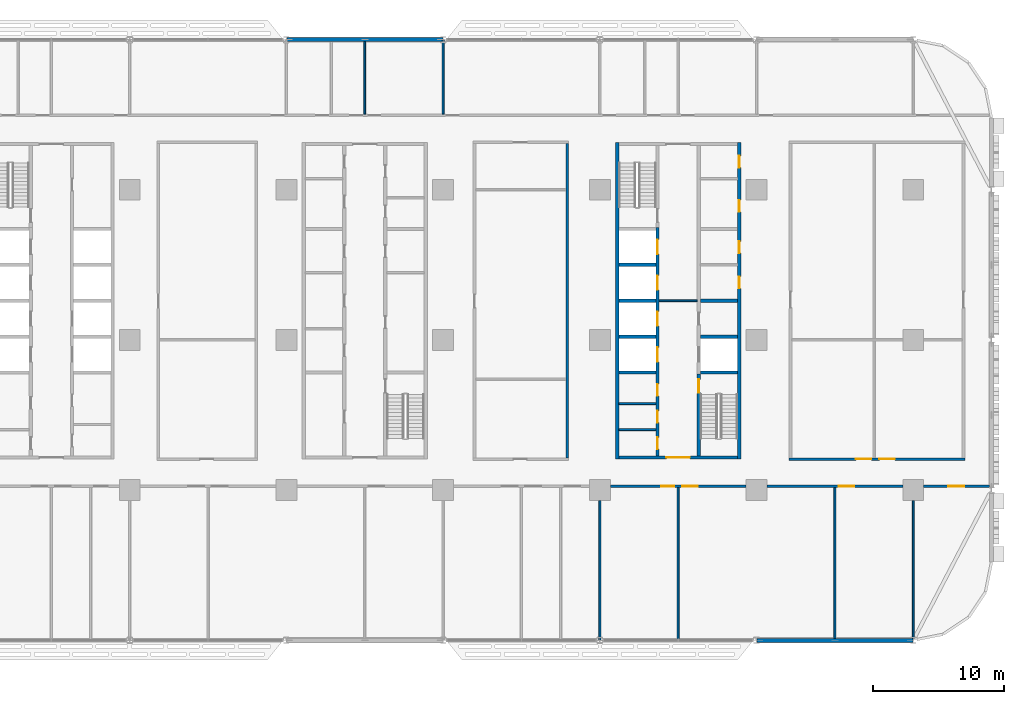
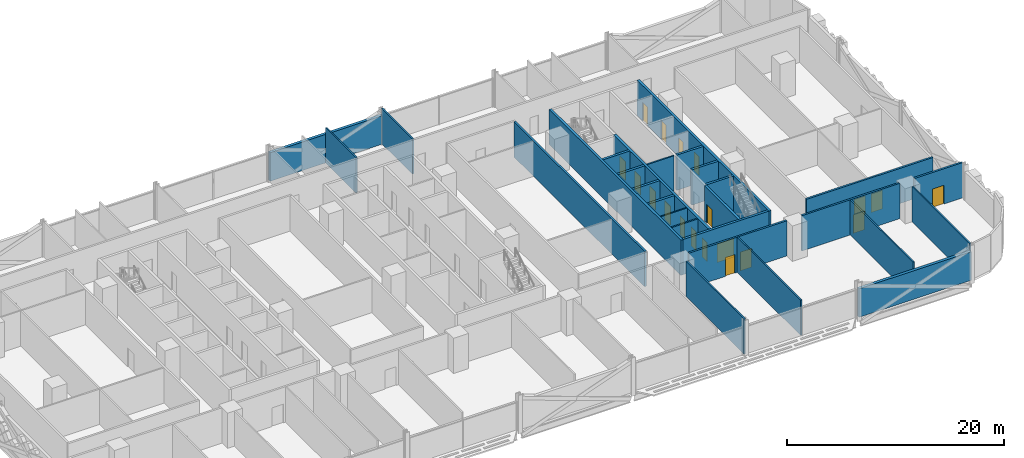
# One storey, part 14 of 29: 28 walls, 19 doors, 19 openings.
"""IFC4 building model written with IfcOpenShell, lengths in metres."""

from ifc_helpers import new_model, si_unit, direction, frame, frame_2d, origin, place, context, subcontext, project, spatial, rectangle, extrude, material, layer, layer_set, type_object, element, fill, save


model = new_model("IFC4")

# Units and contexts
model_context = context("Model", 3, precision=1e-05, world=origin(), true_north=direction((0.0, 1.0)))
body_context = subcontext(model_context, "Body", "Model", "MODEL_VIEW")
ifc_project = project(units=[si_unit("LENGTHUNIT", "METRE"), si_unit("AREAUNIT", "SQUARE_METRE"), si_unit("VOLUMEUNIT", "CUBIC_METRE"), si_unit("PLANEANGLEUNIT", "RADIAN"), si_unit("MASSUNIT", "GRAM", prefix="KILO")], contexts=[model_context])

# Site, building, storey
site_placement = place(None, origin())
site = spatial("IfcSite", under=ifc_project, at=site_placement, CompositionType="ELEMENT")
building_placement = place(site_placement, origin())
building = spatial("IfcBuilding", under=site, at=building_placement, Name="Mahtab Terrace Research Tower", CompositionType="ELEMENT")
storey_placement = place(building_placement, frame((0.0, 0.0, 20.10009765625)))
storey = spatial("IfcBuildingStorey", under=building, at=storey_placement, Name="L04", CompositionType="ELEMENT", Elevation=20.10009765625)

# Walls
ifc_material_1 = material(Name="Gypsum board partition")
ifc_layer_1 = layer(ifc_material_1, 0.14990234375)
ifc_layer_set_1 = layer_set([ifc_layer_1], Name="Core partition 150")
wall_type_1 = type_object("IfcWallType", Name="Core partition 150", PredefinedType="PARTITIONING", material=ifc_layer_set_1)
wall_1_placement = place(storey_placement, frame((22.550048828125, 3.0, 0.0), z_axis=(0.0, 0.0, 1.0), x_axis=(1.0, 0.0, 0.0)))
element("IfcWall", 1, at=wall_1_placement, inside=storey, type_object=wall_type_1, Name="Core wall C ffl", PredefinedType="PARTITIONING", context=body_context, shape_type="SweptSolid", body=[
    extrude(rectangle(XDim=2.89990234375, YDim=0.14990234375, at=frame_2d((1.449951171875, 0.0))), origin(), (0.0, 0.0, 1.0), 3.9599609375),
])
for number, where, z_axis, x_axis, name in (
    (2, (19.449951171875, -6.875, 0.0), (0.0, 0.0, 1.0), (1.0, 0.0, 0.0), "Core wall C pWS-988"),
    (3, (19.449951171875, -4.875, 0.0), (0.0, 0.0, 1.0), (1.0, 0.0, 0.0), "Core wall C pWS-788"),
):
    element("IfcWall", number, at=place(storey_placement, frame(where, z_axis=z_axis, x_axis=x_axis)), inside=storey, type_object=wall_type_1, Name=name, PredefinedType="PARTITIONING", context=body_context, shape_type="SweptSolid", body=[
        extrude(rectangle(XDim=2.85009765625, YDim=0.14990234375, at=frame_2d((1.425048828125, 0.0))), origin(), (0.0, 0.0, 1.0), 3.9599609375),
    ])
ifc_material_2 = material(Name="Concrete C70/85", Category="concrete")
ifc_layer_2 = layer(ifc_material_2, 0.25)
ifc_layer_set_2 = layer_set([ifc_layer_2], Name="Core wall 250")
wall_type_2 = type_object("IfcWallType", Name="Core wall 250", PredefinedType="SOLIDWALL", material=ifc_layer_set_2)
wall_2_placement = place(storey_placement, frame((19.324951171875, 15.125, 0.0), z_axis=(0.0, 0.0, 1.0), x_axis=(0.0, -1.0, 0.0)))
element("IfcWall", 4, at=wall_2_placement, inside=storey, type_object=wall_type_2, Name="Core wall C outerW", PredefinedType="SOLIDWALL", context=body_context, shape_type="SweptSolid", body=[
    extrude(rectangle(XDim=24.25, YDim=0.25, at=frame_2d((12.125, 0.0))), origin(), (0.0, 0.0, 1.0), 3.9599609375),
])

# Wall, openings, doors
wall_3_placement = place(storey_placement, frame((28.675048828125, -9.125, 0.0), z_axis=(0.0, 0.0, 1.0), x_axis=(0.0, 1.0, 0.0)))
wall_3 = element("IfcWall", 5, at=wall_3_placement, inside=storey, type_object=wall_type_2, Name="Core wall C outerE", PredefinedType="SOLIDWALL", context=body_context, shape_type="SweptSolid", body=[
    extrude(rectangle(XDim=24.25, YDim=0.25, at=frame_2d((12.125, 0.0))), origin(), (0.0, 0.0, 1.0), 3.9599609375),
])
opening_1_placement = place(wall_3_placement, frame((13.074951171875, 0.0, 0.0)))
opening_1 = element("IfcOpeningElement", 6, at=opening_1_placement, cuts=wall_3, Name="Opening C-R2", PredefinedType="OPENING", context=body_context, shape_type="SweptSolid", body=[
    extrude(rectangle(XDim=0.89990234375, YDim=2.10009765625, at=frame_2d((0.449951171875, 1.050048828125))), frame((0.0, 0.135009765625, 0.0), z_axis=(0.0, -1.0, 0.0), x_axis=(1.0, 0.0, 0.0)), (0.0, 0.0, 1.0), 0.27001953125),
])
opening_2_placement = place(wall_3_placement, frame((15.77490234375, 0.0, 0.0)))
opening_2 = element("IfcOpeningElement", 7, at=opening_2_placement, cuts=wall_3, Name="Opening C-R3", PredefinedType="OPENING", context=body_context, shape_type="SweptSolid", body=[
    extrude(rectangle(XDim=0.89990234375, YDim=2.10009765625, at=frame_2d((0.449951171875, 1.050048828125))), frame((0.0, 0.135009765625, 0.0), z_axis=(0.0, -1.0, 0.0), x_axis=(1.0, 0.0, 0.0)), (0.0, 0.0, 1.0), 0.27001953125),
])
opening_3_placement = place(wall_3_placement, frame((18.925048828125, 0.0, 0.0)))
opening_3 = element("IfcOpeningElement", 8, at=opening_3_placement, cuts=wall_3, Name="Opening C-R7", PredefinedType="OPENING", context=body_context, shape_type="SweptSolid", body=[
    extrude(rectangle(XDim=0.89990234375, YDim=2.10009765625, at=frame_2d((0.449951171875, 1.050048828125))), frame((0.0, 0.135009765625, 0.0), z_axis=(0.0, -1.0, 0.0), x_axis=(1.0, 0.0, 0.0)), (0.0, 0.0, 1.0), 0.27001953125),
])
opening_4_placement = place(wall_3_placement, frame((22.327392578125, 0.0, 0.0)))
opening_4 = element("IfcOpeningElement", 9, at=opening_4_placement, cuts=wall_3, Name="Opening C-R8", PredefinedType="OPENING", context=body_context, shape_type="SweptSolid", body=[
    extrude(rectangle(XDim=0.89990234375, YDim=2.10009765625, at=frame_2d((0.449951171875, 1.050048828125))), frame((0.0, 0.135009765625, 0.0), z_axis=(0.0, -1.0, 0.0), x_axis=(1.0, 0.0, 0.0)), (0.0, 0.0, 1.0), 0.27001953125),
])
ifc_material_3 = material(Name="Steel fire door", Category="steel")
door_type_1 = type_object("IfcDoorType", Name="Room door 900x2100 1 HR", OperationType="NOTDEFINED", PredefinedType="DOOR", material=ifc_material_3)
door_1_placement = place(opening_1_placement, origin())
door_1 = element("IfcDoor", 10, at=door_1_placement, inside=storey, type_object=door_type_1, Name="Document store door", OperationType="SINGLE_SWING_RIGHT", OverallHeight=2.10009765625, OverallWidth=0.89990234375, PredefinedType="DOOR", context=body_context, shape_type="SweptSolid", body=[
    extrude(rectangle(XDim=0.89990234375, YDim=2.10009765625, at=frame_2d((0.449951171875, 1.050048828125))), frame((0.0, 0.02490234375, 0.0), z_axis=(0.0, -1.0, 0.0), x_axis=(1.0, 0.0, 0.0)), (0.0, 0.0, 1.0), 0.050048828125),
])
fill(opening_1, door_1)
door_2_placement = place(opening_2_placement, origin())
door_2 = element("IfcDoor", 11, at=door_2_placement, inside=storey, type_object=door_type_1, Name="IT equipment room door", OperationType="SINGLE_SWING_LEFT", OverallHeight=2.10009765625, OverallWidth=0.89990234375, PredefinedType="DOOR", context=body_context, shape_type="SweptSolid", body=[
    extrude(rectangle(XDim=0.89990234375, YDim=2.10009765625, at=frame_2d((0.449951171875, 1.050048828125))), frame((0.0, 0.02490234375, 0.0), z_axis=(0.0, -1.0, 0.0), x_axis=(1.0, 0.0, 0.0)), (0.0, 0.0, 1.0), 0.050048828125),
])
fill(opening_2, door_2)
door_3_placement = place(opening_3_placement, origin())
door_3 = element("IfcDoor", 12, at=door_3_placement, inside=storey, type_object=door_type_1, Name="Pantry door", OperationType="SINGLE_SWING_LEFT", OverallHeight=2.10009765625, OverallWidth=0.89990234375, PredefinedType="DOOR", context=body_context, shape_type="SweptSolid", body=[
    extrude(rectangle(XDim=0.89990234375, YDim=2.10009765625, at=frame_2d((0.449951171875, 1.050048828125))), frame((0.0, 0.02490234375, 0.0), z_axis=(0.0, -1.0, 0.0), x_axis=(1.0, 0.0, 0.0)), (0.0, 0.0, 1.0), 0.050048828125),
])
fill(opening_3, door_3)
door_4_placement = place(opening_4_placement, origin())
door_4 = element("IfcDoor", 13, at=door_4_placement, inside=storey, type_object=door_type_1, Name="Linen store door", OperationType="SINGLE_SWING_RIGHT", OverallHeight=2.10009765625, OverallWidth=0.89990234375, PredefinedType="DOOR", context=body_context, shape_type="SweptSolid", body=[
    extrude(rectangle(XDim=0.89990234375, YDim=2.10009765625, at=frame_2d((0.449951171875, 1.050048828125))), frame((0.0, 0.02490234375, 0.0), z_axis=(0.0, -1.0, 0.0), x_axis=(1.0, 0.0, 0.0)), (0.0, 0.0, 1.0), 0.050048828125),
])
fill(opening_4, door_4)

# Wall, opening, door
wall_4_placement = place(storey_placement, frame((28.550048828125, -9.0, 0.0), z_axis=(0.0, 0.0, 1.0), x_axis=(-1.0, 0.0, 0.0)))
wall_4 = element("IfcWall", 14, at=wall_4_placement, inside=storey, type_object=wall_type_2, Name="Core wall C endS", PredefinedType="SOLIDWALL", context=body_context, shape_type="SweptSolid", body=[
    extrude(rectangle(XDim=9.10009765625, YDim=0.25, at=frame_2d((4.550048828125, 0.0))), origin(), (0.0, 0.0, 1.0), 3.9599609375),
])
opening_5_placement = place(wall_4_placement, frame((3.64990234375, 0.0, 0.0)))
opening_5 = element("IfcOpeningElement", 15, at=opening_5_placement, cuts=wall_4, Name="Opening C-S1", PredefinedType="OPENING", context=body_context, shape_type="SweptSolid", body=[
    extrude(rectangle(XDim=1.800048828125, YDim=2.10009765625, at=frame_2d((0.89990234375, 1.050048828125))), frame((0.0, 0.135009765625, 0.0), z_axis=(0.0, -1.0, 0.0), x_axis=(1.0, 0.0, 0.0)), (0.0, 0.0, 1.0), 0.27001953125),
])
door_type_2 = type_object("IfcDoorType", Name="Lobby double door 1800x2100 1 HR", OperationType="DOUBLE_DOOR_SINGLE_SWING", PredefinedType="DOOR", material=ifc_material_3)
door_5_placement = place(opening_5_placement, origin())
door_5 = element("IfcDoor", 16, at=door_5_placement, inside=storey, type_object=door_type_2, Name="Core entrance door C S", OperationType="DOUBLE_DOOR_SINGLE_SWING", OverallHeight=2.10009765625, OverallWidth=1.800048828125, PredefinedType="DOOR", context=body_context, shape_type="SweptSolid", body=[
    extrude(rectangle(XDim=1.800048828125, YDim=2.10009765625, at=frame_2d((0.89990234375, 1.050048828125))), frame((0.0, 0.02490234375, 0.0), z_axis=(0.0, -1.0, 0.0), x_axis=(1.0, 0.0, 0.0)), (0.0, 0.0, 1.0), 0.050048828125),
])
fill(opening_5, door_5)

# Wall, openings, doors
wall_5_placement = place(storey_placement, frame((22.425048828125, -8.875, 0.0), z_axis=(0.0, 0.0, 1.0), x_axis=(0.0, 1.0, 0.0)))
wall_5 = element("IfcWall", 17, at=wall_5_placement, inside=storey, type_object=wall_type_2, Name="Core wall C innerWSL", PredefinedType="SOLIDWALL", context=body_context, shape_type="SweptSolid", body=[
    extrude(rectangle(XDim=17.5, YDim=0.25, at=frame_2d((8.75, 0.0))), origin(), (0.0, 0.0, 1.0), 3.9599609375),
])
opening_6_placement = place(wall_5_placement, frame((7.199951171875, 0.0, 0.0)))
opening_6 = element("IfcOpeningElement", 18, at=opening_6_placement, cuts=wall_5, Name="Opening LD17-L04", PredefinedType="OPENING", context=body_context, shape_type="SweptSolid", body=[
    extrude(rectangle(XDim=1.10009765625, YDim=2.10009765625, at=frame_2d((0.550048828125, 1.050048828125))), frame((0.0, 0.135009765625, 0.0), z_axis=(0.0, -1.0, 0.0), x_axis=(1.0, 0.0, 0.0)), (0.0, 0.0, 1.0), 0.27001953125),
])
opening_7_placement = place(wall_5_placement, frame((9.949951171875, 0.0, 0.0)))
opening_7 = element("IfcOpeningElement", 19, at=opening_7_placement, cuts=wall_5, Name="Opening LD18-L04", PredefinedType="OPENING", context=body_context, shape_type="SweptSolid", body=[
    extrude(rectangle(XDim=1.10009765625, YDim=2.10009765625, at=frame_2d((0.550048828125, 1.050048828125))), frame((0.0, 0.135009765625, 0.0), z_axis=(0.0, -1.0, 0.0), x_axis=(1.0, 0.0, 0.0)), (0.0, 0.0, 1.0), 0.27001953125),
])
opening_8_placement = place(wall_5_placement, frame((12.699951171875, 0.0, 0.0)))
opening_8 = element("IfcOpeningElement", 20, at=opening_8_placement, cuts=wall_5, Name="Opening LD19-L04", PredefinedType="OPENING", context=body_context, shape_type="SweptSolid", body=[
    extrude(rectangle(XDim=1.10009765625, YDim=2.10009765625, at=frame_2d((0.550048828125, 1.050048828125))), frame((0.0, 0.135009765625, 0.0), z_axis=(0.0, -1.0, 0.0), x_axis=(1.0, 0.0, 0.0)), (0.0, 0.0, 1.0), 0.27001953125),
])
opening_9_placement = place(wall_5_placement, frame((15.449951171875, 0.0, 0.0)))
opening_9 = element("IfcOpeningElement", 21, at=opening_9_placement, cuts=wall_5, Name="Opening LD20-L04", PredefinedType="OPENING", context=body_context, shape_type="SweptSolid", body=[
    extrude(rectangle(XDim=1.10009765625, YDim=2.10009765625, at=frame_2d((0.550048828125, 1.050048828125))), frame((0.0, 0.135009765625, 0.0), z_axis=(0.0, -1.0, 0.0), x_axis=(1.0, 0.0, 0.0)), (0.0, 0.0, 1.0), 0.27001953125),
])
opening_10_placement = place(wall_5_placement, frame((0.512451171875, 0.0, 0.0)))
opening_10 = element("IfcOpeningElement", 22, at=opening_10_placement, cuts=wall_5, Name="Opening C-R4", PredefinedType="OPENING", context=body_context, shape_type="SweptSolid", body=[
    extrude(rectangle(XDim=0.89990234375, YDim=2.10009765625, at=frame_2d((0.449951171875, 1.050048828125))), frame((0.0, 0.135009765625, 0.0), z_axis=(0.0, -1.0, 0.0), x_axis=(1.0, 0.0, 0.0)), (0.0, 0.0, 1.0), 0.27001953125),
])
opening_11_placement = place(wall_5_placement, frame((2.550048828125, 0.0, 0.0)))
opening_11 = element("IfcOpeningElement", 23, at=opening_11_placement, cuts=wall_5, Name="Opening C-R5", PredefinedType="OPENING", context=body_context, shape_type="SweptSolid", body=[
    extrude(rectangle(XDim=0.89990234375, YDim=2.10009765625, at=frame_2d((0.449951171875, 1.050048828125))), frame((0.0, 0.135009765625, 0.0), z_axis=(0.0, -1.0, 0.0), x_axis=(1.0, 0.0, 0.0)), (0.0, 0.0, 1.0), 0.27001953125),
])
opening_12_placement = place(wall_5_placement, frame((4.58740234375, 0.0, 0.0)))
opening_12 = element("IfcOpeningElement", 24, at=opening_12_placement, cuts=wall_5, Name="Opening C-R6", PredefinedType="OPENING", context=body_context, shape_type="SweptSolid", body=[
    extrude(rectangle(XDim=0.89990234375, YDim=2.10009765625, at=frame_2d((0.449951171875, 1.050048828125))), frame((0.0, 0.135009765625, 0.0), z_axis=(0.0, -1.0, 0.0), x_axis=(1.0, 0.0, 0.0)), (0.0, 0.0, 1.0), 0.27001953125),
])
ifc_material_4 = material(Name="Stainless steel AISI 304", Category="steel")
door_type_3 = type_object("IfcDoorType", Name="Landing door 1100x2100", OperationType="DOUBLE_DOOR_SLIDING", PredefinedType="DOOR", material=ifc_material_4)
door_6_placement = place(opening_6_placement, origin())
door_6 = element("IfcDoor", 25, at=door_6_placement, inside=storey, type_object=door_type_3, Name="Landing door SV1 L04", OperationType="DOUBLE_DOOR_SLIDING", OverallHeight=2.10009765625, OverallWidth=1.10009765625, PredefinedType="DOOR", context=body_context, shape_type="SweptSolid", body=[
    extrude(rectangle(XDim=1.10009765625, YDim=2.10009765625, at=frame_2d((0.550048828125, 1.050048828125))), frame((0.0, 0.02490234375, 0.0), z_axis=(0.0, -1.0, 0.0), x_axis=(1.0, 0.0, 0.0)), (0.0, 0.0, 1.0), 0.050048828125),
])
fill(opening_6, door_6)
door_7_placement = place(opening_7_placement, origin())
door_7 = element("IfcDoor", 26, at=door_7_placement, inside=storey, type_object=door_type_3, Name="Landing door SV2 L04", OperationType="DOUBLE_DOOR_SLIDING", OverallHeight=2.10009765625, OverallWidth=1.10009765625, PredefinedType="DOOR", context=body_context, shape_type="SweptSolid", body=[
    extrude(rectangle(XDim=1.10009765625, YDim=2.10009765625, at=frame_2d((0.550048828125, 1.050048828125))), frame((0.0, 0.02490234375, 0.0), z_axis=(0.0, -1.0, 0.0), x_axis=(1.0, 0.0, 0.0)), (0.0, 0.0, 1.0), 0.050048828125),
])
fill(opening_7, door_7)
door_8_placement = place(opening_8_placement, origin())
door_8 = element("IfcDoor", 27, at=door_8_placement, inside=storey, type_object=door_type_3, Name="Landing door FF1 L04", OperationType="DOUBLE_DOOR_SLIDING", OverallHeight=2.10009765625, OverallWidth=1.10009765625, PredefinedType="DOOR", context=body_context, shape_type="SweptSolid", body=[
    extrude(rectangle(XDim=1.10009765625, YDim=2.10009765625, at=frame_2d((0.550048828125, 1.050048828125))), frame((0.0, 0.02490234375, 0.0), z_axis=(0.0, -1.0, 0.0), x_axis=(1.0, 0.0, 0.0)), (0.0, 0.0, 1.0), 0.050048828125),
])
fill(opening_8, door_8)
door_9_placement = place(opening_9_placement, origin())
door_9 = element("IfcDoor", 28, at=door_9_placement, inside=storey, type_object=door_type_3, Name="Landing door FF2 L04", OperationType="DOUBLE_DOOR_SLIDING", OverallHeight=2.10009765625, OverallWidth=1.10009765625, PredefinedType="DOOR", context=body_context, shape_type="SweptSolid", body=[
    extrude(rectangle(XDim=1.10009765625, YDim=2.10009765625, at=frame_2d((0.550048828125, 1.050048828125))), frame((0.0, 0.02490234375, 0.0), z_axis=(0.0, -1.0, 0.0), x_axis=(1.0, 0.0, 0.0)), (0.0, 0.0, 1.0), 0.050048828125),
])
fill(opening_9, door_9)
door_10_placement = place(opening_10_placement, origin())
door_10 = element("IfcDoor", 29, at=door_10_placement, inside=storey, type_object=door_type_1, Name="Male WC door", OperationType="SINGLE_SWING_RIGHT", OverallHeight=2.10009765625, OverallWidth=0.89990234375, PredefinedType="DOOR", context=body_context, shape_type="SweptSolid", body=[
    extrude(rectangle(XDim=0.89990234375, YDim=2.10009765625, at=frame_2d((0.449951171875, 1.050048828125))), frame((0.0, 0.02490234375, 0.0), z_axis=(0.0, -1.0, 0.0), x_axis=(1.0, 0.0, 0.0)), (0.0, 0.0, 1.0), 0.050048828125),
])
fill(opening_10, door_10)
door_11_placement = place(opening_11_placement, origin())
door_11 = element("IfcDoor", 30, at=door_11_placement, inside=storey, type_object=door_type_1, Name="Female WC door", OperationType="SINGLE_SWING_LEFT", OverallHeight=2.10009765625, OverallWidth=0.89990234375, PredefinedType="DOOR", context=body_context, shape_type="SweptSolid", body=[
    extrude(rectangle(XDim=0.89990234375, YDim=2.10009765625, at=frame_2d((0.449951171875, 1.050048828125))), frame((0.0, 0.02490234375, 0.0), z_axis=(0.0, -1.0, 0.0), x_axis=(1.0, 0.0, 0.0)), (0.0, 0.0, 1.0), 0.050048828125),
])
fill(opening_11, door_11)
door_12_placement = place(opening_12_placement, origin())
door_12 = element("IfcDoor", 31, at=door_12_placement, inside=storey, type_object=door_type_1, Name="Accessible WC door", OperationType="SINGLE_SWING_RIGHT", OverallHeight=2.10009765625, OverallWidth=0.89990234375, PredefinedType="DOOR", context=body_context, shape_type="SweptSolid", body=[
    extrude(rectangle(XDim=0.89990234375, YDim=2.10009765625, at=frame_2d((0.449951171875, 1.050048828125))), frame((0.0, 0.02490234375, 0.0), z_axis=(0.0, -1.0, 0.0), x_axis=(1.0, 0.0, 0.0)), (0.0, 0.0, 1.0), 0.050048828125),
])
fill(opening_12, door_12)

# Wall, opening, door
wall_6_placement = place(storey_placement, frame((25.574951171875, -8.875, 0.0), z_axis=(0.0, 0.0, 1.0), x_axis=(0.0, 1.0, 0.0)))
wall_6 = element("IfcWall", 32, at=wall_6_placement, inside=storey, type_object=wall_type_2, Name="Core wall C innerES", PredefinedType="SOLIDWALL", context=body_context, shape_type="SweptSolid", body=[
    extrude(rectangle(XDim=6.25, YDim=0.25, at=frame_2d((3.125, 0.0))), origin(), (0.0, 0.0, 1.0), 3.9599609375),
])
opening_13_placement = place(wall_6_placement, frame((4.85009765625, 0.0, 0.0)))
opening_13 = element("IfcOpeningElement", 33, at=opening_13_placement, cuts=wall_6, Name="Opening C-ST4", PredefinedType="OPENING", context=body_context, shape_type="SweptSolid", body=[
    extrude(rectangle(XDim=1.0, YDim=2.10009765625, at=frame_2d((0.5, 1.050048828125))), frame((0.0, 0.135009765625, 0.0), z_axis=(0.0, -1.0, 0.0), x_axis=(1.0, 0.0, 0.0)), (0.0, 0.0, 1.0), 0.27001953125),
])
door_type_4 = type_object("IfcDoorType", Name="Stair door 1000x2100 1.5 HR", OperationType="NOTDEFINED", PredefinedType="DOOR", material=ifc_material_3)
door_13_placement = place(opening_13_placement, origin())
door_13 = element("IfcDoor", 34, at=door_13_placement, inside=storey, type_object=door_type_4, Name="Stair door ST4 L04", OperationType="SINGLE_SWING_RIGHT", OverallHeight=2.10009765625, OverallWidth=1.0, PredefinedType="DOOR", context=body_context, shape_type="SweptSolid", body=[
    extrude(rectangle(XDim=1.0, YDim=2.10009765625, at=frame_2d((0.5, 1.050048828125))), frame((0.0, 0.02490234375, 0.0), z_axis=(0.0, -1.0, 0.0), x_axis=(1.0, 0.0, 0.0)), (0.0, 0.0, 1.0), 0.050048828125),
])
fill(opening_13, door_13)

# Walls
for number, where, z_axis, x_axis, name in (
    (35, (19.449951171875, -2.5, 0.0), (0.0, 0.0, 1.0), (1.0, 0.0, 0.0), "Core wall C divW0"),
    (36, (19.449951171875, 0.25, 0.0), (0.0, 0.0, 1.0), (1.0, 0.0, 0.0), "Core wall C divW1"),
    (37, (19.449951171875, 3.0, 0.0), (0.0, 0.0, 1.0), (1.0, 0.0, 0.0), "Core wall C divW2"),
    (38, (19.449951171875, 5.75, 0.0), (0.0, 0.0, 1.0), (1.0, 0.0, 0.0), "Core wall C divW3"),
    (39, (25.699951171875, -2.5, 0.0), (0.0, 0.0, 1.0), (1.0, 0.0, 0.0), "Core wall C divE0"),
    (40, (25.699951171875, 0.25, 0.0), (0.0, 0.0, 1.0), (1.0, 0.0, 0.0), "Core wall C divE1"),
    (41, (25.699951171875, 3.0, 0.0), (0.0, 0.0, 1.0), (1.0, 0.0, 0.0), "Core wall C divE2"),
):
    element("IfcWall", number, at=place(storey_placement, frame(where, z_axis=z_axis, x_axis=x_axis)), inside=storey, type_object=wall_type_2, Name=name, PredefinedType="SOLIDWALL", context=body_context, shape_type="SweptSolid", body=[
        extrude(rectangle(XDim=2.85009765625, YDim=0.25, at=frame_2d((1.425048828125, 0.0))), origin(), (0.0, 0.0, 1.0), 3.9599609375),
    ])
ifc_material_5 = material(Name="Black aluminium cladding panel", Category="aluminium")
ifc_layer_3 = layer(ifc_material_5, 0.300048828125)
ifc_layer_set_3 = layer_set([ifc_layer_3], Name="Opaque facade wall 300")
wall_type_3 = type_object("IfcWallType", Name="Opaque facade wall 300", PredefinedType="NOTDEFINED", material=ifc_layer_set_3)
for number, where, z_axis, x_axis, name in (
    (42, (5.97216796875, 23.0, 0.0), (0.0, 0.0, 1.0), (-1.0, 0.0, 0.0), "Opaque facade wall L04 N6"),
    (43, (30.02783203125, -23.0, 0.0), (0.0, 0.0, 1.0), (1.0, 0.0, 0.0), "Opaque facade wall L04 S28"),
):
    element("IfcWall", number, at=place(storey_placement, frame(where, z_axis=z_axis, x_axis=x_axis)), inside=storey, type_object=wall_type_3, Name=name, PredefinedType="NOTDEFINED", context=body_context, shape_type="SweptSolid", body=[
        extrude(rectangle(XDim=11.9443359375, YDim=0.300048828125, at=frame_2d((5.97216796875, 0.0))), origin(), (0.0, 0.0, 1.0), 3.202880859375),
    ])

# Wall, openings, doors
ifc_material_6 = material(Name="Gypsum board corridor wall on steel studs", Category="steel")
ifc_layer_4 = layer(ifc_material_6, 0.199951171875)
ifc_layer_set_4 = layer_set([ifc_layer_4], Name="WALL CORRIDOR 200")
wall_type_4 = type_object("IfcWallType", Name="WALL CORRIDOR 200", PredefinedType="PARTITIONING", material=ifc_layer_set_4)
wall_7_placement = place(storey_placement, frame((18.800048828125, -11.199951171875, 0.0), z_axis=(0.0, 0.0, 1.0), x_axis=(1.0, 0.0, 0.0)))
wall_7 = element("IfcWall", 44, at=wall_7_placement, inside=storey, type_object=wall_type_4, Name="L04-W007", PredefinedType="PARTITIONING", context=body_context, shape_type="SweptSolid", body=[
    extrude(rectangle(XDim=10.39990234375, YDim=0.199951171875, at=frame_2d((5.199951171875, 0.0))), origin(), (0.0, 0.0, 1.0), 3.9599609375),
])
opening_14_placement = place(wall_7_placement, frame((3.89990234375, 0.0, 0.0)))
opening_14 = element("IfcOpeningElement", 45, at=opening_14_placement, cuts=wall_7, Name="Opening L04-112", PredefinedType="OPENING", context=body_context, shape_type="SweptSolid", body=[
    extrude(rectangle(XDim=1.0, YDim=2.10009765625, at=frame_2d((0.5, 1.050048828125))), frame((0.0, 0.10986328125, 0.0), z_axis=(0.0, -1.0, 0.0), x_axis=(1.0, 0.0, 0.0)), (0.0, 0.0, 1.0), 0.219970703125),
])
opening_15_placement = place(wall_7_placement, frame((5.5, 0.0, 0.0)))
opening_15 = element("IfcOpeningElement", 46, at=opening_15_placement, cuts=wall_7, Name="Opening L04-113", PredefinedType="OPENING", context=body_context, shape_type="SweptSolid", body=[
    extrude(rectangle(XDim=1.199951171875, YDim=2.10009765625, at=frame_2d((0.60009765625, 1.050048828125))), frame((0.0, 0.10986328125, 0.0), z_axis=(0.0, -1.0, 0.0), x_axis=(1.0, 0.0, 0.0)), (0.0, 0.0, 1.0), 0.219970703125),
])
ifc_material_7 = material(Name="Timber door leaf in steel frame", Category="steel")
door_type_5 = type_object("IfcDoorType", Name="DOOR 1000X2100 FD30S", OperationType="SINGLE_SWING_LEFT", PredefinedType="DOOR", material=ifc_material_7)
door_14_placement = place(opening_14_placement, origin())
door_14 = element("IfcDoor", 47, at=door_14_placement, inside=storey, type_object=door_type_5, Name="Door L04-112", OperationType="SINGLE_SWING_RIGHT", OverallHeight=2.10009765625, OverallWidth=1.0, PredefinedType="DOOR", context=body_context, shape_type="SweptSolid", body=[
    extrude(rectangle(XDim=1.0, YDim=2.10009765625, at=frame_2d((0.5, 1.050048828125))), frame((0.0, 0.02490234375, 0.0), z_axis=(0.0, -1.0, 0.0), x_axis=(1.0, 0.0, 0.0)), (0.0, 0.0, 1.0), 0.050048828125),
])
fill(opening_14, door_14)
door_type_6 = type_object("IfcDoorType", Name="DOOR 1200X2100 FD30S", OperationType="SINGLE_SWING_LEFT", PredefinedType="DOOR", material=ifc_material_7)
door_15_placement = place(opening_15_placement, origin())
door_15 = element("IfcDoor", 48, at=door_15_placement, inside=storey, type_object=door_type_6, Name="Door L04-113", OperationType="SINGLE_SWING_LEFT", OverallHeight=2.10009765625, OverallWidth=1.199951171875, PredefinedType="DOOR", context=body_context, shape_type="SweptSolid", body=[
    extrude(rectangle(XDim=1.199951171875, YDim=2.10009765625, at=frame_2d((0.60009765625, 1.050048828125))), frame((0.0, 0.02490234375, 0.0), z_axis=(0.0, -1.0, 0.0), x_axis=(1.0, 0.0, 0.0)), (0.0, 0.0, 1.0), 0.050048828125),
])
fill(opening_15, door_15)

# Wall, opening, door
wall_8_placement = place(storey_placement, frame((30.800048828125, -11.199951171875, 0.0), z_axis=(0.0, 0.0, 1.0), x_axis=(1.0, 0.0, 0.0)))
wall_8 = element("IfcWall", 49, at=wall_8_placement, inside=storey, type_object=wall_type_4, Name="L04-W008", PredefinedType="PARTITIONING", context=body_context, shape_type="SweptSolid", body=[
    extrude(rectangle(XDim=10.39990234375, YDim=0.199951171875, at=frame_2d((5.199951171875, 0.0))), origin(), (0.0, 0.0, 1.0), 3.9599609375),
])
opening_16_placement = place(wall_8_placement, frame((5.5, 0.0, 0.0)))
opening_16 = element("IfcOpeningElement", 50, at=opening_16_placement, cuts=wall_8, Name="Opening L04-114", PredefinedType="OPENING", context=body_context, shape_type="SweptSolid", body=[
    extrude(rectangle(XDim=1.199951171875, YDim=2.10009765625, at=frame_2d((0.60009765625, 1.050048828125))), frame((0.0, 0.10986328125, 0.0), z_axis=(0.0, -1.0, 0.0), x_axis=(1.0, 0.0, 0.0)), (0.0, 0.0, 1.0), 0.219970703125),
])
door_16_placement = place(opening_16_placement, origin())
door_16 = element("IfcDoor", 51, at=door_16_placement, inside=storey, type_object=door_type_6, Name="Door L04-114", OperationType="SINGLE_SWING_LEFT", OverallHeight=2.10009765625, OverallWidth=1.199951171875, PredefinedType="DOOR", context=body_context, shape_type="SweptSolid", body=[
    extrude(rectangle(XDim=1.199951171875, YDim=2.10009765625, at=frame_2d((0.60009765625, 1.050048828125))), frame((0.0, 0.02490234375, 0.0), z_axis=(0.0, -1.0, 0.0), x_axis=(1.0, 0.0, 0.0)), (0.0, 0.0, 1.0), 0.050048828125),
])
fill(opening_16, door_16)

wall_9_placement = place(storey_placement, frame((42.800048828125, -11.199951171875, 0.0), z_axis=(0.0, 0.0, 1.0), x_axis=(1.0, 0.0, 0.0)))
wall_9 = element("IfcWall", 52, at=wall_9_placement, inside=storey, type_object=wall_type_4, Name="L04-W009", PredefinedType="PARTITIONING", context=body_context, shape_type="SweptSolid", body=[
    extrude(rectangle(XDim=5.050048828125, YDim=0.199951171875, at=frame_2d((2.52490234375, 0.0))), origin(), (0.0, 0.0, 1.0), 3.9599609375),
])
opening_17_placement = place(wall_9_placement, frame((1.89990234375, 0.0, 0.0)))
opening_17 = element("IfcOpeningElement", 53, at=opening_17_placement, cuts=wall_9, Name="Opening L04-115", PredefinedType="OPENING", context=body_context, shape_type="SweptSolid", body=[
    extrude(rectangle(XDim=1.199951171875, YDim=2.10009765625, at=frame_2d((0.60009765625, 1.050048828125))), frame((0.0, 0.10986328125, 0.0), z_axis=(0.0, -1.0, 0.0), x_axis=(1.0, 0.0, 0.0)), (0.0, 0.0, 1.0), 0.219970703125),
])
door_17_placement = place(opening_17_placement, origin())
door_17 = element("IfcDoor", 54, at=door_17_placement, inside=storey, type_object=door_type_6, Name="Door L04-115", OperationType="SINGLE_SWING_RIGHT", OverallHeight=2.10009765625, OverallWidth=1.199951171875, PredefinedType="DOOR", context=body_context, shape_type="SweptSolid", body=[
    extrude(rectangle(XDim=1.199951171875, YDim=2.10009765625, at=frame_2d((0.60009765625, 1.050048828125))), frame((0.0, 0.02490234375, 0.0), z_axis=(0.0, -1.0, 0.0), x_axis=(1.0, 0.0, 0.0)), (0.0, 0.0, 1.0), 0.050048828125),
])
fill(opening_17, door_17)

# Wall, openings, doors
wall_10_placement = place(storey_placement, frame((32.5, -9.125, 0.0), z_axis=(0.0, 0.0, 1.0), x_axis=(1.0, 0.0, 0.0)))
wall_10 = element("IfcWall", 55, at=wall_10_placement, inside=storey, type_object=wall_type_4, Name="L04-W013", PredefinedType="PARTITIONING", context=body_context, shape_type="SweptSolid", body=[
    extrude(rectangle(XDim=13.449951171875, YDim=0.199951171875, at=frame_2d((6.72509765625, 0.0))), origin(), (0.0, 0.0, 1.0), 3.9599609375),
])
opening_18_placement = place(wall_10_placement, frame((5.10009765625, 0.0, 0.0)))
opening_18 = element("IfcOpeningElement", 56, at=opening_18_placement, cuts=wall_10, Name="Opening L04-120", PredefinedType="OPENING", context=body_context, shape_type="SweptSolid", body=[
    extrude(rectangle(XDim=1.199951171875, YDim=2.10009765625, at=frame_2d((0.60009765625, 1.050048828125))), frame((0.0, 0.10986328125, 0.0), z_axis=(0.0, -1.0, 0.0), x_axis=(1.0, 0.0, 0.0)), (0.0, 0.0, 1.0), 0.219970703125),
])
opening_19_placement = place(wall_10_placement, frame((6.89990234375, 0.0, 0.0)))
opening_19 = element("IfcOpeningElement", 57, at=opening_19_placement, cuts=wall_10, Name="Opening L04-121", PredefinedType="OPENING", context=body_context, shape_type="SweptSolid", body=[
    extrude(rectangle(XDim=1.199951171875, YDim=2.10009765625, at=frame_2d((0.60009765625, 1.050048828125))), frame((0.0, 0.10986328125, 0.0), z_axis=(0.0, -1.0, 0.0), x_axis=(1.0, 0.0, 0.0)), (0.0, 0.0, 1.0), 0.219970703125),
])
door_18_placement = place(opening_18_placement, origin())
door_18 = element("IfcDoor", 58, at=door_18_placement, inside=storey, type_object=door_type_6, Name="Door L04-120", OperationType="SINGLE_SWING_LEFT", OverallHeight=2.10009765625, OverallWidth=1.199951171875, PredefinedType="DOOR", context=body_context, shape_type="SweptSolid", body=[
    extrude(rectangle(XDim=1.199951171875, YDim=2.10009765625, at=frame_2d((0.60009765625, 1.050048828125))), frame((0.0, 0.02490234375, 0.0), z_axis=(0.0, -1.0, 0.0), x_axis=(1.0, 0.0, 0.0)), (0.0, 0.0, 1.0), 0.050048828125),
])
fill(opening_18, door_18)
door_19_placement = place(opening_19_placement, origin())
door_19 = element("IfcDoor", 59, at=door_19_placement, inside=storey, type_object=door_type_6, Name="Door L04-121", OperationType="SINGLE_SWING_RIGHT", OverallHeight=2.10009765625, OverallWidth=1.199951171875, PredefinedType="DOOR", context=body_context, shape_type="SweptSolid", body=[
    extrude(rectangle(XDim=1.199951171875, YDim=2.10009765625, at=frame_2d((0.60009765625, 1.050048828125))), frame((0.0, 0.02490234375, 0.0), z_axis=(0.0, -1.0, 0.0), x_axis=(1.0, 0.0, 0.0)), (0.0, 0.0, 1.0), 0.050048828125),
])
fill(opening_19, door_19)

# Walls
wall_11_placement = place(storey_placement, frame((15.5, -9.02490234375, 0.0), z_axis=(0.0, 0.0, 1.0), x_axis=(0.0, 1.0, 0.0)))
element("IfcWall", 60, at=wall_11_placement, inside=storey, type_object=wall_type_4, Name="L04-W052", PredefinedType="PARTITIONING", context=body_context, shape_type="SweptSolid", body=[
    extrude(rectangle(XDim=24.0498046875, YDim=0.199951171875, at=frame_2d((12.02490234375, 0.0))), origin(), (0.0, 0.0, 1.0), 3.9599609375),
])
ifc_material_8 = material(Name="Gypsum board partition on steel studs", Category="steel")
ifc_layer_5 = layer(ifc_material_8, 0.14990234375)
ifc_layer_set_5 = layer_set([ifc_layer_5], Name="WALL PARTITION 150")
wall_type_5 = type_object("IfcWallType", Name="WALL PARTITION 150", PredefinedType="PARTITIONING", material=ifc_layer_set_5)
wall_12_placement = place(storey_placement, frame((0.0, 17.300048828125, 0.0), z_axis=(0.0, 0.0, 1.0), x_axis=(0.0, 1.0, 0.0)))
element("IfcWall", 61, at=wall_12_placement, inside=storey, type_object=wall_type_5, Name="L04-W046", PredefinedType="PARTITIONING", context=body_context, shape_type="SweptSolid", body=[
    extrude(rectangle(XDim=5.550048828125, YDim=0.14990234375, at=frame_2d((2.77490234375, 0.0))), origin(), (0.0, 0.0, 1.0), 3.9599609375),
])
wall_13_placement = place(storey_placement, frame((6.0, 17.300048828125, 0.0), z_axis=(0.0, 0.0, 1.0), x_axis=(0.0, 1.0, 0.0)))
element("IfcWall", 62, at=wall_13_placement, inside=storey, type_object=wall_type_5, Name="L04-W048", PredefinedType="PARTITIONING", context=body_context, shape_type="SweptSolid", body=[
    extrude(rectangle(XDim=5.675048828125, YDim=0.14990234375, at=frame_2d((2.83740234375, 0.0))), origin(), (0.0, 0.0, 1.0), 3.9599609375),
])
wall_14_placement = place(storey_placement, frame((18.0, -22.97509765625, 0.0), z_axis=(0.0, 0.0, 1.0), x_axis=(0.0, 1.0, 0.0)))
element("IfcWall", 63, at=wall_14_placement, inside=storey, type_object=wall_type_5, Name="L04-W053", PredefinedType="PARTITIONING", context=body_context, shape_type="SweptSolid", body=[
    extrude(rectangle(XDim=10.675048828125, YDim=0.14990234375, at=frame_2d((5.33740234375, 0.0))), origin(), (0.0, 0.0, 1.0), 3.9599609375),
])
wall_15_placement = place(storey_placement, frame((24.0, -22.97509765625, 0.0), z_axis=(0.0, 0.0, 1.0), x_axis=(0.0, 1.0, 0.0)))
element("IfcWall", 64, at=wall_15_placement, inside=storey, type_object=wall_type_5, Name="L04-W056", PredefinedType="PARTITIONING", context=body_context, shape_type="SweptSolid", body=[
    extrude(rectangle(XDim=11.675048828125, YDim=0.14990234375, at=frame_2d((5.83740234375, 0.0))), origin(), (0.0, 0.0, 1.0), 3.9599609375),
])
wall_16_placement = place(storey_placement, frame((36.0, -22.85009765625, 0.0), z_axis=(0.0, 0.0, 1.0), x_axis=(0.0, 1.0, 0.0)))
element("IfcWall", 65, at=wall_16_placement, inside=storey, type_object=wall_type_5, Name="L04-W060", PredefinedType="PARTITIONING", context=body_context, shape_type="SweptSolid", body=[
    extrude(rectangle(XDim=11.550048828125, YDim=0.14990234375, at=frame_2d((5.77490234375, 0.0))), origin(), (0.0, 0.0, 1.0), 3.9599609375),
])
wall_17_placement = place(storey_placement, frame((42.0, -22.84716796875, 0.0), z_axis=(0.0, 0.0, 1.0), x_axis=(0.0, 1.0, 0.0)))
element("IfcWall", 66, at=wall_17_placement, inside=storey, type_object=wall_type_5, Name="L04-W062", PredefinedType="PARTITIONING", context=body_context, shape_type="SweptSolid", body=[
    extrude(rectangle(XDim=10.547119140625, YDim=0.14990234375, at=frame_2d((5.2734375, 0.0))), origin(), (0.0, 0.0, 1.0), 3.9599609375),
])

save(model, "model.ifc")
